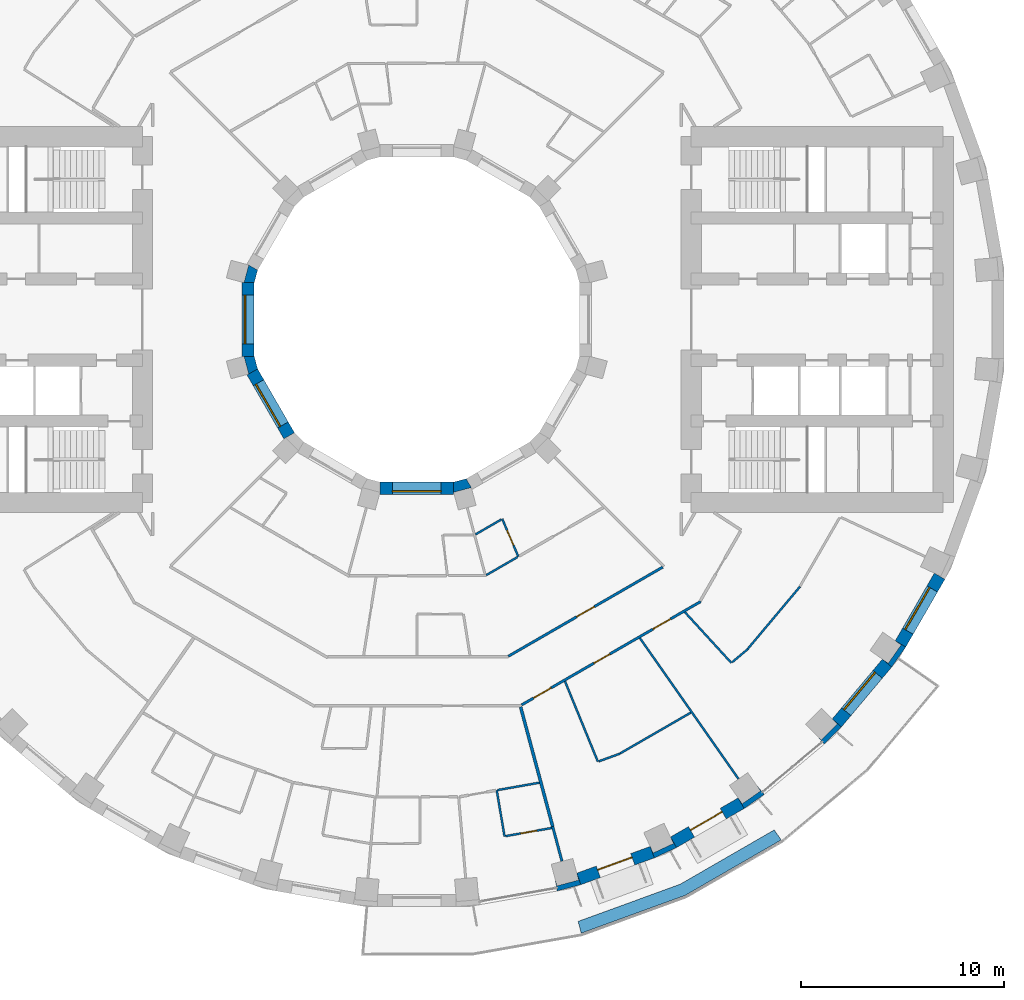
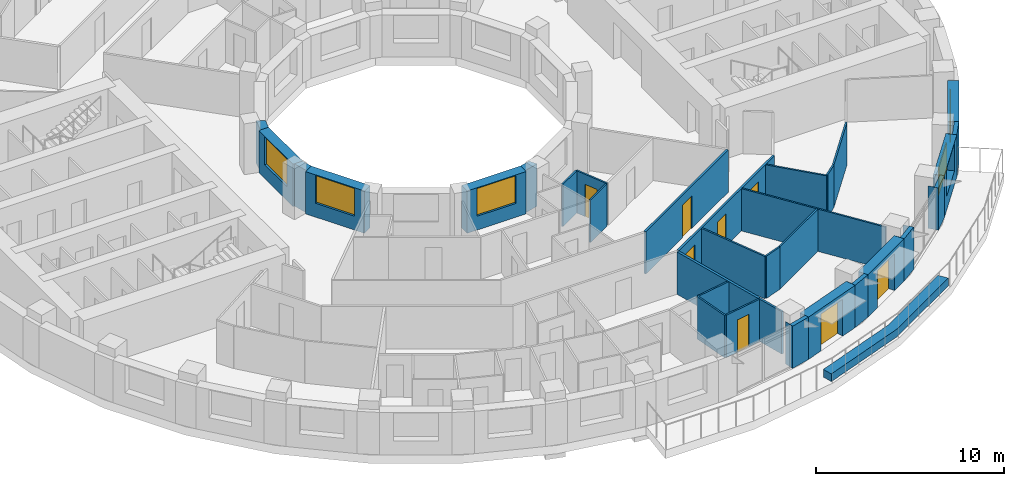
# One storey, part 8 of 16: 33 walls, 8 doors, 5 windows, 13 openings.
"""IFC4 building model written with IfcOpenShell, lengths in metres."""

from ifc_helpers import new_model, si_unit, direction, frame, frame_2d, origin, place, context, subcontext, project, spatial, polyline, rectangle, outline, extrude, material, layer, layer_set, type_object, element, fill, save


model = new_model("IFC4")

# Units and contexts
model_context = context("Model", 3, precision=1e-05, world=origin(), true_north=direction((0.0, 1.0)))
body_context = subcontext(model_context, "Body", "Model", "MODEL_VIEW")
ifc_project = project(units=[si_unit("LENGTHUNIT", "METRE"), si_unit("AREAUNIT", "SQUARE_METRE"), si_unit("VOLUMEUNIT", "CUBIC_METRE"), si_unit("PLANEANGLEUNIT", "RADIAN"), si_unit("MASSUNIT", "GRAM", prefix="KILO")], contexts=[model_context])

# Site, building, storey
site_placement = place(None, origin())
site = spatial("IfcSite", under=ifc_project, at=site_placement, CompositionType="ELEMENT")
building_placement = place(site_placement, origin())
building = spatial("IfcBuilding", under=site, at=building_placement, Name="Saqina Gate Tower", CompositionType="ELEMENT")
storey_placement = place(building_placement, frame((0.0, 0.0, 26.300048828125)))
storey = spatial("IfcBuildingStorey", under=building, at=storey_placement, Name="L06", CompositionType="ELEMENT", Elevation=26.300048828125)

# Walls
ifc_material_1 = material(Name="Brick masonry (red)", Category="masonry")
wall_type_1 = type_object("IfcWallType", Name="BRICK PIER COPING RED", PredefinedType="SOLIDWALL", material=ifc_material_1)
wall_1_placement = place(storey_placement, origin())
element("IfcWall", 1, at=wall_1_placement, inside=storey, type_object=wall_type_1, Name="Pier cap L06 column 29", PredefinedType="SOLIDWALL", context=body_context, shape_type="SweptSolid", body=[
    extrude(outline(polyline([(6.910400390625, -28.11669921875), (8.073974609375, -27.80517578125), (7.86865234375, -27.2412109375), (7.95947265625, -27.57958984375), (6.896728515625, -27.864501953125), (6.80615234375, -27.52587890625), (6.910400390625, -28.11669921875)])), origin(), (0.0, 0.0, 1.0), 2.75),
])
wall_2_placement = place(storey_placement, origin())
element("IfcWall", 2, at=wall_2_placement, inside=storey, type_object=wall_type_1, Name="Pier cap L06 column 30", PredefinedType="SOLIDWALL", context=body_context, shape_type="SweptSolid", body=[
    extrude(outline(polyline([(12.779541015625, -25.980712890625), (12.4794921875, -25.4609375), (12.627685546875, -25.778564453125), (11.630615234375, -26.243408203125), (11.482666015625, -25.92578125), (11.687744140625, -26.48974609375), (12.779541015625, -25.980712890625)])), origin(), (0.0, 0.0, 1.0), 2.75),
])
wall_3_placement = place(storey_placement, origin())
element("IfcWall", 3, at=wall_3_placement, inside=storey, type_object=wall_type_1, Name="Pier cap L06 column 31", PredefinedType="SOLIDWALL", context=body_context, shape_type="SweptSolid", body=[
    extrude(outline(polyline([(16.110107421875, -24.0576171875), (17.096923828125, -23.36669921875), (16.711181640625, -22.9072265625), (16.912109375, -23.194091796875), (16.010986328125, -23.8251953125), (15.81005859375, -23.5380859375), (16.110107421875, -24.0576171875)])), origin(), (0.0, 0.0, 1.0), 2.75),
])
wall_4_placement = place(storey_placement, origin())
element("IfcWall", 4, at=wall_4_placement, inside=storey, type_object=wall_type_1, Name="Pier cap L06 column 32", PredefinedType="SOLIDWALL", context=body_context, shape_type="SweptSolid", body=[
    extrude(outline(polyline([(20.894775390625, -20.04296875), (20.43505859375, -19.6572265625), (20.682861328125, -19.905029296875), (19.905029296875, -20.682861328125), (19.6572265625, -20.43505859375), (20.04296875, -20.894775390625), (20.894775390625, -20.04296875)])), origin(), (0.0, 0.0, 1.0), 2.75),
])
wall_5_placement = place(storey_placement, origin())
element("IfcWall", 5, at=wall_5_placement, inside=storey, type_object=wall_type_1, Name="Pier cap L06 column 33", PredefinedType="SOLIDWALL", context=body_context, shape_type="SweptSolid", body=[
    extrude(outline(polyline([(23.36669921875, -17.096923828125), (24.0576171875, -16.110107421875), (23.5380859375, -15.81005859375), (23.8251953125, -16.010986328125), (23.194091796875, -16.912109375), (22.9072265625, -16.711181640625), (23.36669921875, -17.096923828125)])), origin(), (0.0, 0.0, 1.0), 2.75),
])

# Wall, opening, door
ifc_material_2 = material(Name="Brick masonry (red)", Category="masonry")
ifc_layer_1 = layer(ifc_material_2, 0.60009765625)
ifc_layer_set_1 = layer_set([ifc_layer_1], Name="FW-BRICK-RED")
wall_type_2 = type_object("IfcWallType", Name="FW-BRICK-RED", PredefinedType="SOLIDWALL", material=ifc_layer_set_1)
wall_6_placement = place(storey_placement, frame((7.97119140625, -27.523193359375, 0.0), z_axis=(0.0, 0.0, 1.0), x_axis=(0.939689588564, 0.342028474173, 0.0)))
wall_6 = element("IfcWall", 6, at=wall_6_placement, inside=storey, type_object=wall_type_2, Name="Facade wall L06 facet 29", PredefinedType="SOLIDWALL", context=body_context, shape_type="SweptSolid", body=[
    extrude(rectangle(XDim=3.845947265625, YDim=0.60009765625, at=frame_2d((1.9228515625, 0.0))), origin(), (0.0, 0.0, 1.0), 2.75),
])
opening_1_placement = place(wall_6_placement, frame((1.02294921875, 0.0, 0.0)))
opening_1 = element("IfcOpeningElement", 7, at=opening_1_placement, cuts=wall_6, Name="Opening G01-D80", PredefinedType="OPENING", context=body_context, shape_type="SweptSolid", body=[
    extrude(rectangle(XDim=1.800048828125, YDim=2.39990234375, at=frame_2d((0.89990234375, 1.199951171875))), frame((0.0, 0.31201171875, 0.0), z_axis=(0.0, -1.0, 0.0), x_axis=(1.0, 0.0, 0.0)), (0.0, 0.0, 1.0), 0.6240234375),
])
ifc_material_3 = material(Name="Aluminium glazing", Category="aluminium")
door_type_1 = type_object("IfcDoorType", Name="GD-A", OperationType="DOUBLE_DOOR_SINGLE_SWING", PredefinedType="DOOR", material=ifc_material_3)
door_1_placement = place(opening_1_placement, frame((1.800048828125, 0.0, 0.0), z_axis=(0.0, 0.0, 1.0), x_axis=(-1.0, 0.0, 0.0)))
door_1 = element("IfcDoor", 8, at=door_1_placement, inside=storey, type_object=door_type_1, Name="Terrace door L06 facet 29", OperationType="DOUBLE_DOOR_SINGLE_SWING", OverallHeight=2.39990234375, OverallWidth=1.800048828125, PredefinedType="DOOR", context=body_context, shape_type="SweptSolid", body=[
    extrude(rectangle(XDim=1.800048828125, YDim=2.39990234375, at=frame_2d((0.89990234375, 1.199951171875))), frame((0.0, -0.0751953125, 0.0), z_axis=(0.0, -1.0, 0.0), x_axis=(1.0, 0.0, 0.0)), (0.0, 0.0, 1.0), 0.050048828125),
])
fill(opening_1, door_1)

wall_7_placement = place(storey_placement, frame((12.629638671875, -25.720703125, 0.0), z_axis=(0.0, 0.0, 1.0), x_axis=(0.86603124159, 0.499989888488, 0.0)))
wall_7 = element("IfcWall", 9, at=wall_7_placement, inside=storey, type_object=wall_type_2, Name="Facade wall L06 facet 30", PredefinedType="SOLIDWALL", context=body_context, shape_type="SweptSolid", body=[
    extrude(rectangle(XDim=3.845703125, YDim=0.60009765625, at=frame_2d((1.9228515625, 0.0))), origin(), (0.0, 0.0, 1.0), 2.75),
])
opening_2_placement = place(wall_7_placement, frame((1.02294921875, 0.0, 0.0)))
opening_2 = element("IfcOpeningElement", 10, at=opening_2_placement, cuts=wall_7, Name="Opening G01-D81", PredefinedType="OPENING", context=body_context, shape_type="SweptSolid", body=[
    extrude(rectangle(XDim=1.800048828125, YDim=2.39990234375, at=frame_2d((0.89990234375, 1.199951171875))), frame((0.0, 0.31201171875, 0.0), z_axis=(0.0, -1.0, 0.0), x_axis=(1.0, 0.0, 0.0)), (0.0, 0.0, 1.0), 0.6240234375),
])
door_2_placement = place(opening_2_placement, frame((1.800048828125, 0.0, 0.0), z_axis=(0.0, 0.0, 1.0), x_axis=(-1.0, 0.0, 0.0)))
door_2 = element("IfcDoor", 11, at=door_2_placement, inside=storey, type_object=door_type_1, Name="Terrace door L06 facet 30", OperationType="DOUBLE_DOOR_SINGLE_SWING", OverallHeight=2.39990234375, OverallWidth=1.800048828125, PredefinedType="DOOR", context=body_context, shape_type="SweptSolid", body=[
    extrude(rectangle(XDim=1.800048828125, YDim=2.39990234375, at=frame_2d((0.89990234375, 1.199951171875))), frame((0.0, -0.0751953125, 0.0), z_axis=(0.0, -1.0, 0.0), x_axis=(1.0, 0.0, 0.0)), (0.0, 0.0, 1.0), 0.050048828125),
])
fill(opening_2, door_2)

# Wall, opening, window
wall_8_placement = place(storey_placement, frame((20.664794921875, -19.85009765625, 0.0), z_axis=(0.0, 0.0, 1.0), x_axis=(0.642809392687, 0.766026164483, 0.0)))
wall_8 = element("IfcWall", 12, at=wall_8_placement, inside=storey, type_object=wall_type_2, Name="Facade wall L06 facet 32", PredefinedType="SOLIDWALL", context=body_context, shape_type="SweptSolid", body=[
    extrude(rectangle(XDim=3.845947265625, YDim=0.60009765625, at=frame_2d((1.9228515625, 0.0))), origin(), (0.0, 0.0, 1.0), 2.75),
])
opening_3_placement = place(wall_8_placement, frame((0.722900390625, 0.0, 0.89990234375)))
opening_3 = element("IfcOpeningElement", 13, at=opening_3_placement, cuts=wall_8, Name="Opening G01-W21", PredefinedType="OPENING", context=body_context, shape_type="SweptSolid", body=[
    extrude(rectangle(XDim=2.39990234375, YDim=1.800048828125, at=frame_2d((1.199951171875, 0.89990234375))), frame((0.0, 0.31201171875, 0.0), z_axis=(0.0, -1.0, 0.0), x_axis=(1.0, 0.0, 0.0)), (0.0, 0.0, 1.0), 0.6240234375),
])
ifc_material_4 = material(Name="Aluminium glazing", Category="aluminium")
window_type_1 = type_object("IfcWindowType", Name="WN-A", PartitioningType="SINGLE_PANEL", PredefinedType="WINDOW", material=ifc_material_4)
window_1_placement = place(opening_3_placement, origin())
window_1 = element("IfcWindow", 14, at=window_1_placement, inside=storey, type_object=window_type_1, Name="Window L06 facet 32", OverallHeight=1.800048828125, OverallWidth=2.39990234375, PartitioningType="SINGLE_PANEL", PredefinedType="WINDOW", context=body_context, shape_type="SweptSolid", body=[
    extrude(rectangle(XDim=2.39990234375, YDim=1.800048828125, at=frame_2d((1.199951171875, 0.89990234375))), frame((0.0, 0.179931640625, 0.0), z_axis=(0.0, -1.0, 0.0), x_axis=(1.0, 0.0, 0.0)), (0.0, 0.0, 1.0), 0.06005859375),
])
fill(opening_3, window_1)

wall_9_placement = place(storey_placement, frame((23.7978515625, -15.960205078125, 0.0), z_axis=(0.0, 0.0, 1.0), x_axis=(0.499989888488, 0.86603124159, 0.0)))
wall_9 = element("IfcWall", 15, at=wall_9_placement, inside=storey, type_object=wall_type_2, Name="Facade wall L06 facet 33", PredefinedType="SOLIDWALL", context=body_context, shape_type="SweptSolid", body=[
    extrude(rectangle(XDim=3.845703125, YDim=0.60009765625, at=frame_2d((1.9228515625, 0.0))), origin(), (0.0, 0.0, 1.0), 2.75),
])
opening_4_placement = place(wall_9_placement, frame((0.722900390625, 0.0, 0.89990234375)))
opening_4 = element("IfcOpeningElement", 16, at=opening_4_placement, cuts=wall_9, Name="Opening G01-W22", PredefinedType="OPENING", context=body_context, shape_type="SweptSolid", body=[
    extrude(rectangle(XDim=2.39990234375, YDim=1.800048828125, at=frame_2d((1.199951171875, 0.89990234375))), frame((0.0, 0.31201171875, 0.0), z_axis=(0.0, -1.0, 0.0), x_axis=(1.0, 0.0, 0.0)), (0.0, 0.0, 1.0), 0.6240234375),
])
window_2_placement = place(opening_4_placement, origin())
window_2 = element("IfcWindow", 17, at=window_2_placement, inside=storey, type_object=window_type_1, Name="Window L06 facet 33", OverallHeight=1.800048828125, OverallWidth=2.39990234375, PartitioningType="SINGLE_PANEL", PredefinedType="WINDOW", context=body_context, shape_type="SweptSolid", body=[
    extrude(rectangle(XDim=2.39990234375, YDim=1.800048828125, at=frame_2d((1.199951171875, 0.89990234375))), frame((0.0, 0.179931640625, 0.0), z_axis=(0.0, -1.0, 0.0), x_axis=(1.0, 0.0, 0.0)), (0.0, 0.0, 1.0), 0.06005859375),
])
fill(opening_4, window_2)

ifc_material_5 = material(Name="Glazed ceramic tile", Category="ceramic")
ifc_layer_2 = layer(ifc_material_5, 0.60009765625)
ifc_layer_set_2 = layer_set([ifc_layer_2], Name="IW-TILE")
wall_type_3 = type_object("IfcWallType", Name="IW-TILE", PredefinedType="SOLIDWALL", material=ifc_layer_set_2)
wall_10_placement = place(storey_placement, frame((-8.300048828125, 1.8125, 0.0), z_axis=(0.0, 0.0, 1.0), x_axis=(0.0, -1.0, 0.0)))
wall_10 = element("IfcWall", 18, at=wall_10_placement, inside=storey, type_object=wall_type_3, Name="Well wall L06 facet 6", PredefinedType="SOLIDWALL", context=body_context, shape_type="SweptSolid", body=[
    extrude(rectangle(XDim=3.625, YDim=0.60009765625, at=frame_2d((1.8125, 0.0))), origin(), (0.0, 0.0, 1.0), 2.75),
])
opening_5_placement = place(wall_10_placement, frame((0.612548828125, 0.0, 0.89990234375)))
opening_5 = element("IfcOpeningElement", 19, at=opening_5_placement, cuts=wall_10, Name="Opening G01-W28", PredefinedType="OPENING", context=body_context, shape_type="SweptSolid", body=[
    extrude(rectangle(XDim=2.39990234375, YDim=1.800048828125, at=frame_2d((1.199951171875, 0.89990234375))), frame((0.0, 0.31201171875, 0.0), z_axis=(0.0, -1.0, 0.0), x_axis=(1.0, 0.0, 0.0)), (0.0, 0.0, 1.0), 0.6240234375),
])
ifc_material_6 = material(Name="Aluminium glazing", Category="aluminium")
window_type_2 = type_object("IfcWindowType", Name="WN-W", PartitioningType="SINGLE_PANEL", PredefinedType="WINDOW", material=ifc_material_6)
window_3_placement = place(opening_5_placement, origin())
window_3 = element("IfcWindow", 20, at=window_3_placement, inside=storey, type_object=window_type_2, Name="Well window L06 facet 6", OverallHeight=1.800048828125, OverallWidth=2.39990234375, PartitioningType="SINGLE_PANEL", PredefinedType="WINDOW", context=body_context, shape_type="SweptSolid", body=[
    extrude(rectangle(XDim=2.39990234375, YDim=1.800048828125, at=frame_2d((1.199951171875, 0.89990234375))), frame((0.0, -0.119873046875, 0.0), z_axis=(0.0, -1.0, 0.0), x_axis=(1.0, 0.0, 0.0)), (0.0, 0.0, 1.0), 0.06005859375),
])
fill(opening_5, window_3)

wall_11_placement = place(storey_placement, frame((-8.09423828125, -2.580322265625, 0.0), z_axis=(0.0, 0.0, 1.0), x_axis=(0.499992569217, -0.866029693906, 0.0)))
wall_11 = element("IfcWall", 21, at=wall_11_placement, inside=storey, type_object=wall_type_3, Name="Well wall L06 facet 7", PredefinedType="SOLIDWALL", context=body_context, shape_type="SweptSolid", body=[
    extrude(rectangle(XDim=3.625, YDim=0.60009765625, at=frame_2d((1.8125, 0.0))), origin(), (0.0, 0.0, 1.0), 2.75),
])
opening_6_placement = place(wall_11_placement, frame((0.612548828125, 0.0, 0.89990234375)))
opening_6 = element("IfcOpeningElement", 22, at=opening_6_placement, cuts=wall_11, Name="Opening G01-W29", PredefinedType="OPENING", context=body_context, shape_type="SweptSolid", body=[
    extrude(rectangle(XDim=2.39990234375, YDim=1.800048828125, at=frame_2d((1.199951171875, 0.89990234375))), frame((0.0, 0.31201171875, 0.0), z_axis=(0.0, -1.0, 0.0), x_axis=(1.0, 0.0, 0.0)), (0.0, 0.0, 1.0), 0.6240234375),
])
window_4_placement = place(opening_6_placement, origin())
window_4 = element("IfcWindow", 23, at=window_4_placement, inside=storey, type_object=window_type_2, Name="Well window L06 facet 7", OverallHeight=1.800048828125, OverallWidth=2.39990234375, PartitioningType="SINGLE_PANEL", PredefinedType="WINDOW", context=body_context, shape_type="SweptSolid", body=[
    extrude(rectangle(XDim=2.39990234375, YDim=1.800048828125, at=frame_2d((1.199951171875, 0.89990234375))), frame((0.0, -0.119873046875, 0.0), z_axis=(0.0, -1.0, 0.0), x_axis=(1.0, 0.0, 0.0)), (0.0, 0.0, 1.0), 0.06005859375),
])
fill(opening_6, window_4)

wall_12_placement = place(storey_placement, frame((-1.8125, -8.300048828125, 0.0), z_axis=(0.0, 0.0, 1.0), x_axis=(1.0, 0.0, 0.0)))
wall_12 = element("IfcWall", 24, at=wall_12_placement, inside=storey, type_object=wall_type_3, Name="Well wall L06 facet 9", PredefinedType="SOLIDWALL", context=body_context, shape_type="SweptSolid", body=[
    extrude(rectangle(XDim=3.625, YDim=0.60009765625, at=frame_2d((1.8125, 0.0))), origin(), (0.0, 0.0, 1.0), 2.75),
])
opening_7_placement = place(wall_12_placement, frame((0.612548828125, 0.0, 0.89990234375)))
opening_7 = element("IfcOpeningElement", 25, at=opening_7_placement, cuts=wall_12, Name="Opening G01-W31", PredefinedType="OPENING", context=body_context, shape_type="SweptSolid", body=[
    extrude(rectangle(XDim=2.39990234375, YDim=1.800048828125, at=frame_2d((1.199951171875, 0.89990234375))), frame((0.0, 0.31201171875, 0.0), z_axis=(0.0, -1.0, 0.0), x_axis=(1.0, 0.0, 0.0)), (0.0, 0.0, 1.0), 0.6240234375),
])
window_5_placement = place(opening_7_placement, origin())
window_5 = element("IfcWindow", 26, at=window_5_placement, inside=storey, type_object=window_type_2, Name="Well window L06 facet 9", OverallHeight=1.800048828125, OverallWidth=2.39990234375, PartitioningType="SINGLE_PANEL", PredefinedType="WINDOW", context=body_context, shape_type="SweptSolid", body=[
    extrude(rectangle(XDim=2.39990234375, YDim=1.800048828125, at=frame_2d((1.199951171875, 0.89990234375))), frame((0.0, -0.119873046875, 0.0), z_axis=(0.0, -1.0, 0.0), x_axis=(1.0, 0.0, 0.0)), (0.0, 0.0, 1.0), 0.06005859375),
])
fill(opening_7, window_5)

# Walls
ifc_material_7 = material(Name="Gypsum board on steel studs, 100 mm", Category="steel")
ifc_layer_3 = layer(ifc_material_7, 0.10009765625)
ifc_layer_set_3 = layer_set([ifc_layer_3], Name="PARTITION 100")
wall_type_4 = type_object("IfcWallType", Name="PARTITION 100", PredefinedType="PARTITIONING", material=ifc_layer_set_3)
wall_13_placement = place(storey_placement, frame((3.930908203125, -23.158935546875, 0.0), z_axis=(0.0, 0.0, 1.0), x_axis=(0.167428328933, -0.985884250138, 0.0)))
element("IfcWall", 27, at=wall_13_placement, inside=storey, type_object=wall_type_4, Name="PARTITION PW3-10", PredefinedType="PARTITIONING", context=body_context, shape_type="SweptSolid", body=[
    extrude(rectangle(XDim=2.299560546875, YDim=0.10009765625, at=frame_2d((1.14990234375, 0.0))), origin(), (0.0, 0.0, 1.0), 2.75),
])
wall_14_placement = place(storey_placement, frame((7.290771484375, -17.8017578125, 0.0), z_axis=(0.0, 0.0, 1.0), x_axis=(0.378828684396, -0.925466816195, 0.0)))
element("IfcWall", 28, at=wall_14_placement, inside=storey, type_object=wall_type_4, Name="PARTITION PW3-18", PredefinedType="PARTITIONING", context=body_context, shape_type="SweptSolid", body=[
    extrude(rectangle(XDim=4.271484375, YDim=0.10009765625, at=frame_2d((2.1357421875, 0.0))), origin(), (0.0, 0.0, 1.0), 2.75),
])

# Wall, opening, door
wall_15_placement = place(storey_placement, frame((4.202880859375, -9.81298828125, 0.0), z_axis=(0.0, 0.0, 1.0), x_axis=(0.39369991752, -0.919239019485, 0.0)))
wall_15 = element("IfcWall", 29, at=wall_15_placement, inside=storey, type_object=wall_type_4, Name="PARTITION PW3-20", PredefinedType="PARTITIONING", context=body_context, shape_type="SweptSolid", body=[
    extrude(rectangle(XDim=2.0146484375, YDim=0.10009765625, at=frame_2d((1.00732421875, 0.0))), origin(), (0.0, 0.0, 1.0), 2.75),
])
opening_8_placement = place(wall_15_placement, frame((0.607421875, 0.0, 0.0)))
opening_8 = element("IfcOpeningElement", 30, at=opening_8_placement, cuts=wall_15, Name="Opening G01-D62", PredefinedType="OPENING", context=body_context, shape_type="SweptSolid", body=[
    extrude(rectangle(XDim=0.800048828125, YDim=2.10009765625, at=frame_2d((0.39990234375, 1.050048828125))), frame((0.0, 0.06201171875, 0.0), z_axis=(0.0, -1.0, 0.0), x_axis=(1.0, 0.0, 0.0)), (0.0, 0.0, 1.0), 0.1240234375),
])
ifc_material_8 = material(Name="Timber door leaf, 800 mm", Category="wood")
door_type_2 = type_object("IfcDoorType", Name="DOOR 800 TIMBER", OperationType="SINGLE_SWING_LEFT", PredefinedType="DOOR", material=ifc_material_8)
door_3_placement = place(opening_8_placement, origin())
door_3 = element("IfcDoor", 31, at=door_3_placement, inside=storey, type_object=door_type_2, Name="DOOR G01-D62", OperationType="SINGLE_SWING_RIGHT", OverallHeight=2.10009765625, OverallWidth=0.800048828125, PredefinedType="DOOR", context=body_context, shape_type="SweptSolid", body=[
    extrude(rectangle(XDim=0.800048828125, YDim=2.10009765625, at=frame_2d((0.39990234375, 1.050048828125))), frame((0.0, 0.02490234375, 0.0), z_axis=(0.0, -1.0, 0.0), x_axis=(1.0, 0.0, 0.0)), (0.0, 0.0, 1.0), 0.050048828125),
])
fill(opening_8, door_3)

# Walls
wall_16_placement = place(storey_placement, frame((10.975830078125, -15.67431640625, 0.0), z_axis=(0.0, 0.0, 1.0), x_axis=(0.573553424511, -0.819168156872, 0.0)))
element("IfcWall", 32, at=wall_16_placement, inside=storey, type_object=wall_type_4, Name="PARTITION PW3-27", PredefinedType="PARTITIONING", context=body_context, shape_type="SweptSolid", body=[
    extrude(rectangle(XDim=8.454833984375, YDim=0.10009765625, at=frame_2d((4.2275390625, 0.0))), origin(), (0.0, 0.0, 1.0), 2.75),
])
wall_17_placement = place(storey_placement, frame((13.187255859375, -14.396240234375, 0.0), z_axis=(0.0, 0.0, 1.0), x_axis=(0.675447264994, -0.737408294103, 0.0)))
element("IfcWall", 33, at=wall_17_placement, inside=storey, type_object=wall_type_4, Name="PARTITION PW3-32", PredefinedType="PARTITIONING", context=body_context, shape_type="SweptSolid", body=[
    extrude(rectangle(XDim=3.388671875, YDim=0.10009765625, at=frame_2d((1.6943359375, 0.0))), origin(), (0.0, 0.0, 1.0), 2.75),
])

# Wall, opening, door
wall_18_placement = place(storey_placement, frame((4.365234375, -25.417236328125, 0.0), z_axis=(0.0, 0.0, 1.0), x_axis=(0.984839942107, 0.173465525191, 0.0)))
wall_18 = element("IfcWall", 34, at=wall_18_placement, inside=storey, type_object=wall_type_4, Name="PARTITION PW3-67", PredefinedType="PARTITIONING", context=body_context, shape_type="SweptSolid", body=[
    extrude(rectangle(XDim=2.30810546875, YDim=0.10009765625, at=frame_2d((1.154052734375, 0.0))), origin(), (0.0, 0.0, 1.0), 2.75),
])
opening_9_placement = place(wall_18_placement, frame((0.760498046875, 0.0, 0.0)))
opening_9 = element("IfcOpeningElement", 35, at=opening_9_placement, cuts=wall_18, Name="Opening G01-D60", PredefinedType="OPENING", context=body_context, shape_type="SweptSolid", body=[
    extrude(rectangle(XDim=0.800048828125, YDim=2.10009765625, at=frame_2d((0.39990234375, 1.050048828125))), frame((0.0, 0.06201171875, 0.0), z_axis=(0.0, -1.0, 0.0), x_axis=(1.0, 0.0, 0.0)), (0.0, 0.0, 1.0), 0.1240234375),
])
door_4_placement = place(opening_9_placement, frame((0.800048828125, 0.0, 0.0), z_axis=(0.0, 0.0, 1.0), x_axis=(-1.0, 0.0, 0.0)))
door_4 = element("IfcDoor", 36, at=door_4_placement, inside=storey, type_object=door_type_2, Name="DOOR G01-D60", OperationType="SINGLE_SWING_LEFT", OverallHeight=2.10009765625, OverallWidth=0.800048828125, PredefinedType="DOOR", context=body_context, shape_type="SweptSolid", body=[
    extrude(rectangle(XDim=0.800048828125, YDim=2.10009765625, at=frame_2d((0.39990234375, 1.050048828125))), frame((0.0, 0.02490234375, 0.0), z_axis=(0.0, -1.0, 0.0), x_axis=(1.0, 0.0, 0.0)), (0.0, 0.0, 1.0), 0.050048828125),
])
fill(opening_9, door_4)

# Walls
wall_19_placement = place(storey_placement, frame((3.980224609375, -23.150390625, 0.0), z_axis=(0.0, 0.0, 1.0), x_axis=(0.98480245503, 0.173678221335, 0.0)))
element("IfcWall", 37, at=wall_19_placement, inside=storey, type_object=wall_type_4, Name="PARTITION PW3-68", PredefinedType="PARTITIONING", context=body_context, shape_type="SweptSolid", body=[
    extrude(rectangle(XDim=2.08056640625, YDim=0.10009765625, at=frame_2d((1.040283203125, 0.0))), origin(), (0.0, 0.0, 1.0), 2.75),
])
wall_20_placement = place(storey_placement, frame((8.9560546875, -21.73779296875, 0.0), z_axis=(0.0, 0.0, 1.0), x_axis=(0.939501535219, 0.342544690983, 0.0)))
element("IfcWall", 38, at=wall_20_placement, inside=storey, type_object=wall_type_4, Name="PARTITION PW3-72", PredefinedType="PARTITIONING", context=body_context, shape_type="SweptSolid", body=[
    extrude(rectangle(XDim=1.124755859375, YDim=0.10009765625, at=frame_2d((0.5625, 0.0))), origin(), (0.0, 0.0, 1.0), 2.75),
])
wall_21_placement = place(storey_placement, frame((10.00830078125, -21.344970703125, 0.0), z_axis=(0.0, 0.0, 1.0), x_axis=(0.866077124662, 0.49991040611, 0.0)))
element("IfcWall", 39, at=wall_21_placement, inside=storey, type_object=wall_type_4, Name="PARTITION PW3-75", PredefinedType="PARTITIONING", context=body_context, shape_type="SweptSolid", body=[
    extrude(rectangle(XDim=4.010498046875, YDim=0.10009765625, at=frame_2d((2.00537109375, 0.0))), origin(), (0.0, 0.0, 1.0), 2.75),
])
wall_22_placement = place(storey_placement, frame((3.419189453125, -12.574951171875, 0.0), z_axis=(0.0, 0.0, 1.0), x_axis=(0.86610522661, 0.499861717316, 0.0)))
element("IfcWall", 40, at=wall_22_placement, inside=storey, type_object=wall_type_4, Name="PARTITION PW3-76", PredefinedType="PARTITIONING", context=body_context, shape_type="SweptSolid", body=[
    extrude(rectangle(XDim=1.7705078125, YDim=0.10009765625, at=frame_2d((0.88525390625, 0.0))), origin(), (0.0, 0.0, 1.0), 2.75),
])
wall_23_placement = place(storey_placement, frame((2.88330078125, -10.574951171875, 0.0), z_axis=(0.0, 0.0, 1.0), x_axis=(0.865981447571, 0.500076126667, 0.0)))
element("IfcWall", 41, at=wall_23_placement, inside=storey, type_object=wall_type_4, Name="PARTITION PW3-77", PredefinedType="PARTITIONING", context=body_context, shape_type="SweptSolid", body=[
    extrude(rectangle(XDim=1.473876953125, YDim=0.10009765625, at=frame_2d((0.73681640625, 0.0))), origin(), (0.0, 0.0, 1.0), 2.75),
])
wall_24_placement = place(storey_placement, frame((15.51416015625, -16.86279296875, 0.0), z_axis=(0.0, 0.0, 1.0), x_axis=(0.765614200219, 0.643300004992, 0.0)))
element("IfcWall", 42, at=wall_24_placement, inside=storey, type_object=wall_type_4, Name="PARTITION PW3-86", PredefinedType="PARTITIONING", context=body_context, shape_type="SweptSolid", body=[
    extrude(rectangle(XDim=1.008056640625, YDim=0.10009765625, at=frame_2d((0.50390625, 0.0))), origin(), (0.0, 0.0, 1.0), 2.75),
])
wall_25_placement = place(storey_placement, frame((16.279052734375, -16.208740234375, 0.0), z_axis=(0.0, 0.0, 1.0), x_axis=(0.642907640475, 0.765943709302, 0.0)))
element("IfcWall", 43, at=wall_25_placement, inside=storey, type_object=wall_type_4, Name="PARTITION PW3-92", PredefinedType="PARTITIONING", context=body_context, shape_type="SweptSolid", body=[
    extrude(rectangle(XDim=4.00634765625, YDim=0.10009765625, at=frame_2d((2.003173828125, 0.0))), origin(), (0.0, 0.0, 1.0), 2.75),
])
ifc_material_9 = material(Name="Gypsum board on steel studs, 125 mm, fire rated", Category="steel")
ifc_layer_4 = layer(ifc_material_9, 0.125)
ifc_layer_set_4 = layer_set([ifc_layer_4], Name="PARTITION EI 30 125")
wall_type_5 = type_object("IfcWallType", Name="PARTITION EI 30 125", PredefinedType="PARTITIONING", material=ifc_layer_set_4)
wall_26_placement = place(storey_placement, frame((6.68408203125, -24.945556640625, 0.0), z_axis=(0.0, 0.0, 1.0), x_axis=(0.259005792565, -0.965875768108, 0.0)))
element("IfcWall", 44, at=wall_26_placement, inside=storey, type_object=wall_type_5, Name="PARTITION PW1-01", PredefinedType="PARTITIONING", context=body_context, shape_type="SweptSolid", body=[
    extrude(rectangle(XDim=1.7646484375, YDim=0.125, at=frame_2d((0.88232421875, 0.0))), origin(), (0.0, 0.0, 1.0), 2.75),
])

# Wall, openings, doors
wall_27_placement = place(storey_placement, frame((5.156005859375, -18.96240234375, 0.0), z_axis=(0.0, 0.0, 1.0), x_axis=(0.86602502492, 0.500000656212, 0.0)))
wall_27 = element("IfcWall", 45, at=wall_27_placement, inside=storey, type_object=wall_type_5, Name="PARTITION PW1-37", PredefinedType="PARTITIONING", context=body_context, shape_type="SweptSolid", body=[
    extrude(rectangle(XDim=10.17919921875, YDim=0.125, at=frame_2d((5.089599609375, 0.0))), origin(), (0.0, 0.0, 1.0), 2.75),
])
opening_10_placement = place(wall_27_placement, frame((0.68115234375, 0.0, 0.0)))
opening_10 = element("IfcOpeningElement", 46, at=opening_10_placement, cuts=wall_27, Name="Opening G01-D61", PredefinedType="OPENING", context=body_context, shape_type="SweptSolid", body=[
    extrude(rectangle(XDim=1.0, YDim=2.10009765625, at=frame_2d((0.5, 1.050048828125))), frame((0.0, 0.074462890625, 0.0), z_axis=(0.0, -1.0, 0.0), x_axis=(1.0, 0.0, 0.0)), (0.0, 0.0, 1.0), 0.14892578125),
])
opening_11_placement = place(wall_27_placement, frame((4.108154296875, 0.0, 0.0)))
opening_11 = element("IfcOpeningElement", 47, at=opening_11_placement, cuts=wall_27, Name="Opening G01-D63", PredefinedType="OPENING", context=body_context, shape_type="SweptSolid", body=[
    extrude(rectangle(XDim=0.89990234375, YDim=2.10009765625, at=frame_2d((0.449951171875, 1.050048828125))), frame((0.0, 0.074462890625, 0.0), z_axis=(0.0, -1.0, 0.0), x_axis=(1.0, 0.0, 0.0)), (0.0, 0.0, 1.0), 0.14892578125),
])
opening_12_placement = place(wall_27_placement, frame((7.451904296875, 0.0, 0.0)))
opening_12 = element("IfcOpeningElement", 48, at=opening_12_placement, cuts=wall_27, Name="Opening G01-D66", PredefinedType="OPENING", context=body_context, shape_type="SweptSolid", body=[
    extrude(rectangle(XDim=1.0, YDim=2.10009765625, at=frame_2d((0.5, 1.050048828125))), frame((0.0, 0.074462890625, 0.0), z_axis=(0.0, -1.0, 0.0), x_axis=(1.0, 0.0, 0.0)), (0.0, 0.0, 1.0), 0.14892578125),
])
ifc_material_10 = material(Name="Fire door leaf EI 30, 1000 mm")
door_type_3 = type_object("IfcDoorType", Name="DOOR 1000 EI 30", OperationType="SINGLE_SWING_LEFT", PredefinedType="DOOR", material=ifc_material_10)
door_5_placement = place(opening_10_placement, frame((1.0, 0.0, 0.0), z_axis=(0.0, 0.0, 1.0), x_axis=(-1.0, 0.0, 0.0)))
door_5 = element("IfcDoor", 49, at=door_5_placement, inside=storey, type_object=door_type_3, Name="DOOR G01-D61", OperationType="SINGLE_SWING_LEFT", OverallHeight=2.10009765625, OverallWidth=1.0, PredefinedType="DOOR", context=body_context, shape_type="SweptSolid", body=[
    extrude(rectangle(XDim=1.0, YDim=2.10009765625, at=frame_2d((0.5, 1.050048828125))), frame((0.0, 0.02490234375, 0.0), z_axis=(0.0, -1.0, 0.0), x_axis=(1.0, 0.0, 0.0)), (0.0, 0.0, 1.0), 0.050048828125),
])
fill(opening_10, door_5)
door_6_placement = place(opening_12_placement, origin())
door_6 = element("IfcDoor", 50, at=door_6_placement, inside=storey, type_object=door_type_3, Name="DOOR G01-D66", OperationType="SINGLE_SWING_RIGHT", OverallHeight=2.10009765625, OverallWidth=1.0, PredefinedType="DOOR", context=body_context, shape_type="SweptSolid", body=[
    extrude(rectangle(XDim=1.0, YDim=2.10009765625, at=frame_2d((0.5, 1.050048828125))), frame((0.0, 0.02490234375, 0.0), z_axis=(0.0, -1.0, 0.0), x_axis=(1.0, 0.0, 0.0)), (0.0, 0.0, 1.0), 0.050048828125),
])
fill(opening_12, door_6)
ifc_material_11 = material(Name="Fire door leaf EI 30, 900 mm")
door_type_4 = type_object("IfcDoorType", Name="DOOR 900 EI 30", OperationType="SINGLE_SWING_LEFT", PredefinedType="DOOR", material=ifc_material_11)
door_7_placement = place(opening_11_placement, frame((0.89990234375, 0.0, 0.0), z_axis=(0.0, 0.0, 1.0), x_axis=(-1.0, 0.0, 0.0)))
door_7 = element("IfcDoor", 51, at=door_7_placement, inside=storey, type_object=door_type_4, Name="DOOR G01-D63", OperationType="SINGLE_SWING_RIGHT", OverallHeight=2.10009765625, OverallWidth=0.89990234375, PredefinedType="DOOR", context=body_context, shape_type="SweptSolid", body=[
    extrude(rectangle(XDim=0.89990234375, YDim=2.10009765625, at=frame_2d((0.449951171875, 1.050048828125))), frame((0.0, 0.02490234375, 0.0), z_axis=(0.0, -1.0, 0.0), x_axis=(1.0, 0.0, 0.0)), (0.0, 0.0, 1.0), 0.050048828125),
])
fill(opening_11, door_7)

# Wall, opening, door
wall_28_placement = place(storey_placement, frame((4.502197265625, -16.56884765625, 0.0), z_axis=(0.0, 0.0, 1.0), x_axis=(0.8660196372, 0.500009987883, 0.0)))
wall_28 = element("IfcWall", 52, at=wall_28_placement, inside=storey, type_object=wall_type_5, Name="PARTITION PW1-38", PredefinedType="PARTITIONING", context=body_context, shape_type="SweptSolid", body=[
    extrude(rectangle(XDim=8.770751953125, YDim=0.125, at=frame_2d((4.38525390625, 0.0))), origin(), (0.0, 0.0, 1.0), 2.75),
])
opening_13_placement = place(wall_28_placement, frame((3.885498046875, 0.0, 0.0)))
opening_13 = element("IfcOpeningElement", 53, at=opening_13_placement, cuts=wall_28, Name="Opening G01-D64", PredefinedType="OPENING", context=body_context, shape_type="SweptSolid", body=[
    extrude(rectangle(XDim=1.0, YDim=2.10009765625, at=frame_2d((0.5, 1.050048828125))), frame((0.0, 0.074462890625, 0.0), z_axis=(0.0, -1.0, 0.0), x_axis=(1.0, 0.0, 0.0)), (0.0, 0.0, 1.0), 0.14892578125),
])
door_8_placement = place(opening_13_placement, origin())
door_8 = element("IfcDoor", 54, at=door_8_placement, inside=storey, type_object=door_type_3, Name="DOOR G01-D64", OperationType="SINGLE_SWING_LEFT", OverallHeight=2.10009765625, OverallWidth=1.0, PredefinedType="DOOR", context=body_context, shape_type="SweptSolid", body=[
    extrude(rectangle(XDim=1.0, YDim=2.10009765625, at=frame_2d((0.5, 1.050048828125))), frame((0.0, 0.02490234375, 0.0), z_axis=(0.0, -1.0, 0.0), x_axis=(1.0, 0.0, 0.0)), (0.0, 0.0, 1.0), 0.050048828125),
])
fill(opening_13, door_8)

# Walls
ifc_material_12 = material(Name="Gypsum board on steel studs, 150 mm, fire rated", Category="steel")
ifc_layer_5 = layer(ifc_material_12, 0.14990234375)
ifc_layer_set_5 = layer_set([ifc_layer_5], Name="PARTITION EI 60 150")
wall_type_6 = type_object("IfcWallType", Name="PARTITION EI 60 150", PredefinedType="PARTITIONING", material=ifc_layer_set_5)
wall_29_placement = place(storey_placement, frame((5.107177734375, -19.060302734375, 0.0), z_axis=(0.0, 0.0, 1.0), x_axis=(0.259056540545, -0.965862158282, 0.0)))
element("IfcWall", 55, at=wall_29_placement, inside=storey, type_object=wall_type_6, Name="PARTITION PW2-01", PredefinedType="PARTITIONING", context=body_context, shape_type="SweptSolid", body=[
    extrude(rectangle(XDim=6.0927734375, YDim=0.14990234375, at=frame_2d((3.04638671875, 0.0))), origin(), (0.0, 0.0, 1.0), 2.75),
])
ifc_material_13 = material(Name="Brick masonry (red)", Category="masonry")
ifc_layer_6 = layer(ifc_material_13, 0.60009765625)
ifc_layer_set_6 = layer_set([ifc_layer_6], Name="PL-PLANTER")
wall_type_7 = type_object("IfcWallType", Name="PL-PLANTER", PredefinedType="PARAPET", material=ifc_layer_set_6)
wall_30_placement = place(storey_placement, origin())
element("IfcWall", 56, at=wall_30_placement, inside=storey, type_object=wall_type_7, Name="Planter L06", PredefinedType="PARAPET", context=body_context, shape_type="SweptSolid", body=[
    extrude(outline(polyline([(8.09033203125, -30.193603515625), (13.21044921875, -28.329833984375), (17.92919921875, -25.60546875), (17.583740234375, -25.1123046875), (12.955810546875, -27.783935546875), (7.934326171875, -29.61181640625), (8.09033203125, -30.193603515625)])), origin(), (0.0, 0.0, 1.0), 0.5),
])
ifc_material_14 = material(Name="Glazed ceramic tile", Category="ceramic")
wall_type_8 = type_object("IfcWallType", Name="TILE PIER COPING", PredefinedType="SOLIDWALL", material=ifc_material_14)
wall_31_placement = place(storey_placement, origin())
element("IfcWall", 57, at=wall_31_placement, inside=storey, type_object=wall_type_8, Name="Well pier cap L06 column 6", PredefinedType="SOLIDWALL", context=body_context, shape_type="SweptSolid", body=[
    extrude(outline(polyline([(-8.502685546875, 1.8125), (-8.0, 1.8125), (-7.83447265625, 2.430419921875), (-8.27001953125, 2.681884765625), (-8.502685546875, 1.8125)])), origin(), (0.0, 0.0, 1.0), 2.75),
])
wall_32_placement = place(storey_placement, origin())
element("IfcWall", 58, at=wall_32_placement, inside=storey, type_object=wall_type_8, Name="Well pier cap L06 column 7", PredefinedType="SOLIDWALL", context=body_context, shape_type="SweptSolid", body=[
    extrude(outline(polyline([(-8.27001953125, -2.681884765625), (-7.83447265625, -2.430419921875), (-8.0, -1.8125), (-8.502685546875, -1.8125), (-8.27001953125, -2.681884765625)])), origin(), (0.0, 0.0, 1.0), 2.75),
])
wall_33_placement = place(storey_placement, origin())
element("IfcWall", 59, at=wall_33_placement, inside=storey, type_object=wall_type_8, Name="Well pier cap L06 column 10", PredefinedType="SOLIDWALL", context=body_context, shape_type="SweptSolid", body=[
    extrude(outline(polyline([(2.681884765625, -8.27001953125), (2.430419921875, -7.83447265625), (1.8125, -8.0), (1.8125, -8.502685546875), (2.681884765625, -8.27001953125)])), origin(), (0.0, 0.0, 1.0), 2.75),
])

save(model, "model.ifc")
